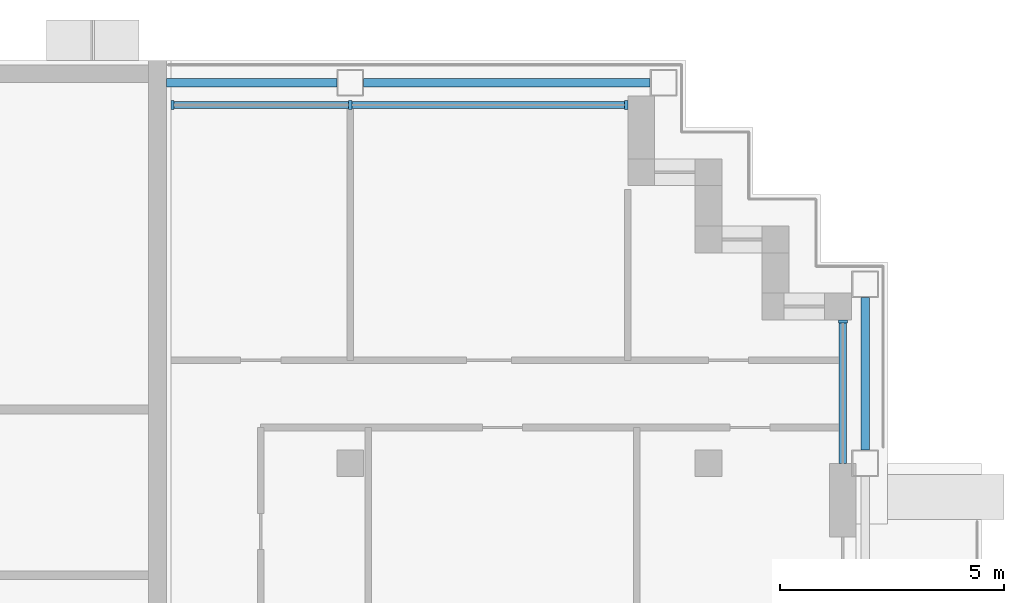
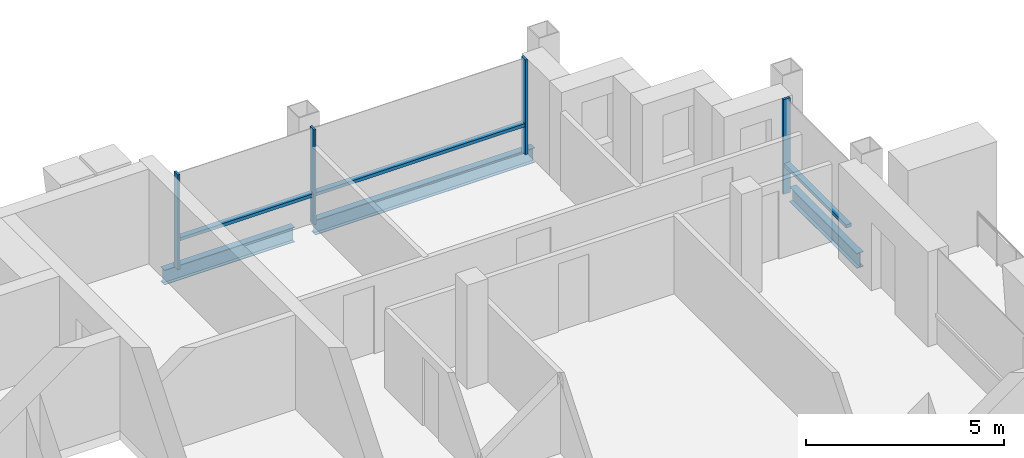
# One storey, part 5 of 16: 7 members, 3 beams, 2 elements without a shape of their own.
"""IFC4 building model written with IfcOpenShell, lengths in metres."""

from ifc_helpers import new_model, si_unit, direction, frame, origin, origin_2d, place, context, subcontext, project, spatial, rectangle, i_section, extrude, material, material_profile, profile_set, type_object, element, aggregate, save


model = new_model("IFC4")

# Units and contexts
model_context = context("Model", 3, precision=1e-05, world=origin(), true_north=direction((0.0, 1.0)))
body_context = subcontext(model_context, "Body", "Model", "MODEL_VIEW")
ifc_project = project(units=[si_unit("LENGTHUNIT", "METRE"), si_unit("AREAUNIT", "SQUARE_METRE"), si_unit("VOLUMEUNIT", "CUBIC_METRE"), si_unit("PLANEANGLEUNIT", "RADIAN"), si_unit("MASSUNIT", "GRAM", prefix="KILO")], contexts=[model_context])

# Site, building, storey
site_placement = place(None, origin())
site = spatial("IfcSite", under=ifc_project, at=site_placement, CompositionType="ELEMENT")
building_placement = place(site_placement, origin())
building = spatial("IfcBuilding", under=site, at=building_placement, Name="Vidyagriha Tower", CompositionType="ELEMENT")
storey_placement = place(building_placement, frame((0.0, 0.0, 220.39990234375)))
storey = spatial("IfcBuildingStorey", under=building, at=storey_placement, Name="L57", CompositionType="ELEMENT", Elevation=220.39990234375)

# Beams
ifc_material_1 = material(Name="Steel ASTM A992 Grade 50", Category="steel")
ifc_material_profile_1 = material_profile(ifc_material_1, i_section(OverallWidth=0.19189453125, OverallDepth=0.46240234375, WebThickness=0.010498046875, FlangeThickness=0.017578125, at=origin_2d()), Name="W18X60")
ifc_profile_set_1 = profile_set([ifc_material_profile_1], Name="Steel ASTM A992 Grade 50")
beam_type = type_object("IfcBeamType", Name="Edge beam W18X60", PredefinedType="SPANDREL", material=ifc_profile_set_1)
beam_1_placement = place(storey_placement, frame((29.5, 11.300048828125, -0.510986328125), z_axis=(0.0, 1.0, 0.0), x_axis=(-1.0, 0.0, 0.0)))
element("IfcBeam", 1, at=beam_1_placement, inside=storey, type_object=beam_type, Name="st-beam-L57-E17", PredefinedType="SPANDREL", context=body_context, shape_type="SweptSolid", body=[
    extrude(i_section(OverallWidth=0.19189453125, OverallDepth=0.46240234375, WebThickness=0.010498046875, FlangeThickness=0.017578125, at=origin_2d()), origin(), (0.0, 0.0, 1.0), 3.39990234375),
])
beam_2_placement = place(storey_placement, frame((18.300048828125, 19.5, -0.510986328125), z_axis=(1.0, 0.0, 0.0), x_axis=(0.0, 1.0, 0.0)))
element("IfcBeam", 2, at=beam_2_placement, inside=storey, type_object=beam_type, Name="st-beam-L57-NE19", PredefinedType="SPANDREL", context=body_context, shape_type="SweptSolid", body=[
    extrude(i_section(OverallWidth=0.19189453125, OverallDepth=0.46240234375, WebThickness=0.010498046875, FlangeThickness=0.017578125, at=origin_2d()), origin(), (0.0, 0.0, 1.0), 6.39990234375),
])
beam_3_placement = place(storey_placement, frame((13.89990234375, 19.5, -0.510986328125), z_axis=(1.0, 0.0, 0.0), x_axis=(0.0, 1.0, 0.0)))
element("IfcBeam", 3, at=beam_3_placement, inside=storey, type_object=beam_type, Name="st-beam-L57-NC21", PredefinedType="SPANDREL", context=body_context, shape_type="SweptSolid", body=[
    extrude(i_section(OverallWidth=0.19189453125, OverallDepth=0.46240234375, WebThickness=0.010498046875, FlangeThickness=0.017578125, at=origin_2d()), origin(), (0.0, 0.0, 1.0), 3.800048828125),
])

# Curtain wall, members
ifc_material_2 = material(Name="Aluminium and glass curtain wall", Category="aluminium")
curtain_wall_type = type_object("IfcCurtainWallType", Name="Dwelling skin unitised curtain wall", PredefinedType="USERDEFINED", material=ifc_material_2)
curtain_wall_1_placement = place(storey_placement, origin())
curtain_wall_1 = element("IfcCurtainWall", 4, at=curtain_wall_1_placement, inside=storey, type_object=curtain_wall_type, Name="CW1 dwelling skin", ObjectType="UNITISED", PredefinedType="USERDEFINED")
ifc_material_3 = material(Name="Aluminium black anodised", Category="aluminium")
ifc_material_profile_2 = material_profile(ifc_material_3, rectangle(XDim=0.199951171875, YDim=0.070068359375, at=origin_2d()), Name="Mullion 70x200 black aluminium")
ifc_profile_set_2 = profile_set([ifc_material_profile_2], Name="Aluminium black anodised")
member_type_1 = type_object("IfcMemberType", Name="Mullion 70x200 black aluminium", PredefinedType="MULLION", material=ifc_profile_set_2)
member_1_placement = place(storey_placement, frame((24.1650390625, 19.0, 0.0), z_axis=(0.0, 0.0, 1.0), x_axis=(0.0, -1.0, 0.0)))
member_1 = element("IfcMember", 5, at=member_1_placement, type_object=member_type_1, Name="CW1 mullion 1", PredefinedType="MULLION", context=body_context, shape_type="SweptSolid", body=[
    extrude(rectangle(XDim=0.199951171875, YDim=0.070068359375, at=origin_2d()), origin(), (0.0, 0.0, 1.0), 2.920166015625),
])
member_2_placement = place(storey_placement, frame((18.0, 19.0, 0.0), z_axis=(0.0, 0.0, 1.0), x_axis=(0.0, -1.0, 0.0)))
member_2 = element("IfcMember", 6, at=member_2_placement, type_object=member_type_1, Name="CW1 mullion 2", PredefinedType="MULLION", context=body_context, shape_type="SweptSolid", body=[
    extrude(rectangle(XDim=0.199951171875, YDim=0.070068359375, at=origin_2d()), origin(), (0.0, 0.0, 1.0), 2.920166015625),
])
member_3_placement = place(storey_placement, frame((14.034912109375, 19.0, 0.0), z_axis=(0.0, 0.0, 1.0), x_axis=(0.0, -1.0, 0.0)))
member_3 = element("IfcMember", 7, at=member_3_placement, type_object=member_type_1, Name="CW1 mullion 3", PredefinedType="MULLION", context=body_context, shape_type="SweptSolid", body=[
    extrude(rectangle(XDim=0.199951171875, YDim=0.070068359375, at=origin_2d()), origin(), (0.0, 0.0, 1.0), 2.920166015625),
])

# Curtain wall, member
curtain_wall_2_placement = place(storey_placement, origin())
curtain_wall_2 = element("IfcCurtainWall", 8, at=curtain_wall_2_placement, inside=storey, type_object=curtain_wall_type, Name="CW1 dwelling skin", ObjectType="UNITISED", PredefinedType="USERDEFINED")
member_4_placement = place(storey_placement, frame((29.0, 14.1650390625, 0.0), z_axis=(0.0, 0.0, 1.0), x_axis=(-1.0, 0.0, 0.0)))
member_4 = element("IfcMember", 9, at=member_4_placement, type_object=member_type_1, Name="CW1 mullion 2", PredefinedType="MULLION", context=body_context, shape_type="SweptSolid", body=[
    extrude(rectangle(XDim=0.199951171875, YDim=0.070068359375, at=origin_2d()), origin(), (0.0, 0.0, 1.0), 2.920166015625),
])

# Member
ifc_material_4 = material(Name="Aluminium black anodised", Category="aluminium")
ifc_material_profile_3 = material_profile(ifc_material_4, rectangle(XDim=0.159912109375, YDim=0.10009765625, at=origin_2d()), Name="Transom 100x160 black aluminium")
ifc_profile_set_3 = profile_set([ifc_material_profile_3], Name="Aluminium black anodised")
member_type_2 = type_object("IfcMemberType", Name="Transom 100x160 black aluminium", PredefinedType="USERDEFINED", material=ifc_profile_set_3)
member_5_placement = place(storey_placement, frame((24.1298828125, 19.0, 0.900146484375), z_axis=(-1.0, 0.0, 0.0), x_axis=(0.0, -1.0, 0.0)))
member_5 = element("IfcMember", 10, at=member_5_placement, type_object=member_type_2, Name="CW1 transom 1.1", ObjectType="TRANSOM", PredefinedType="USERDEFINED", context=body_context, shape_type="SweptSolid", body=[
    extrude(rectangle(XDim=0.159912109375, YDim=0.10009765625, at=origin_2d()), origin(), (0.0, 0.0, 1.0), 6.094970703125),
])

member_6_placement = place(storey_placement, frame((17.965087890625, 19.0, 0.900146484375), z_axis=(-1.0, 0.0, 0.0), x_axis=(0.0, -1.0, 0.0)))
member_6 = element("IfcMember", 11, at=member_6_placement, type_object=member_type_2, Name="CW1 transom 2.1", ObjectType="TRANSOM", PredefinedType="USERDEFINED", context=body_context, shape_type="SweptSolid", body=[
    extrude(rectangle(XDim=0.159912109375, YDim=0.10009765625, at=origin_2d()), origin(), (0.0, 0.0, 1.0), 3.89501953125),
])

aggregate(curtain_wall_1, [member_1, member_2, member_3, member_5, member_6])

member_7_placement = place(storey_placement, frame((29.0, 11.0, 0.900146484375), z_axis=(0.0, 1.0, 0.0), x_axis=(-1.0, 0.0, 0.0)))
member_7 = element("IfcMember", 12, at=member_7_placement, type_object=member_type_2, Name="CW1 transom 1.1", ObjectType="TRANSOM", PredefinedType="USERDEFINED", context=body_context, shape_type="SweptSolid", body=[
    extrude(rectangle(XDim=0.159912109375, YDim=0.10009765625, at=origin_2d()), origin(), (0.0, 0.0, 1.0), 3.1298828125),
])

aggregate(curtain_wall_2, [member_4, member_7])

save(model, "model.ifc")
